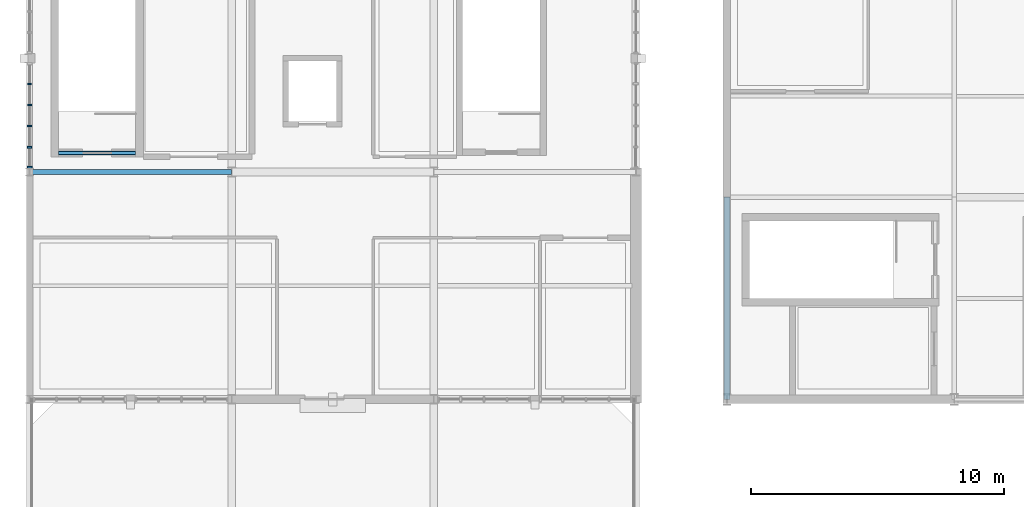
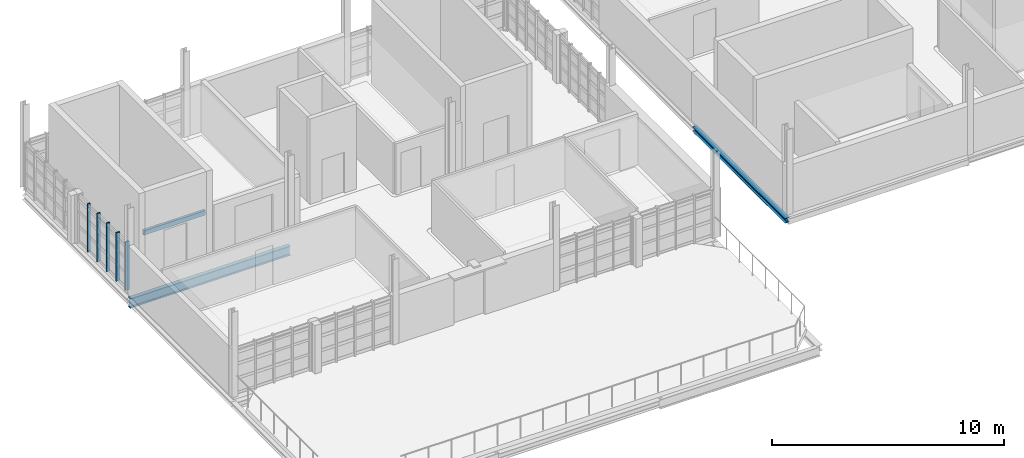
# One storey, part 7 of 44: 5 members, 3 beams, 1 element without a shape of its own.
"""IFC4 building model written with IfcOpenShell, lengths in metres."""

from ifc_helpers import new_model, si_unit, direction, frame, origin, origin_2d, place, context, subcontext, project, spatial, rectangle, hollow_rectangle, i_section, extrude, material, material_profile, profile_set, type_object, element, aggregate, save


model = new_model("IFC4")

# Units and contexts
model_context = context("Model", 3, precision=1e-05, world=origin(), true_north=direction((0.0, 1.0)))
body_context = subcontext(model_context, "Body", "Model", "MODEL_VIEW")
ifc_project = project(units=[si_unit("LENGTHUNIT", "METRE"), si_unit("AREAUNIT", "SQUARE_METRE"), si_unit("VOLUMEUNIT", "CUBIC_METRE"), si_unit("PLANEANGLEUNIT", "RADIAN"), si_unit("MASSUNIT", "GRAM", prefix="KILO")], contexts=[model_context])

# Site, building, storey
site_placement = place(None, origin())
site = spatial("IfcSite", under=ifc_project, at=site_placement, CompositionType="ELEMENT")
building_placement = place(site_placement, origin())
building = spatial("IfcBuilding", under=site, at=building_placement, Name="Serraforn Aerial Cableway Station", CompositionType="ELEMENT")
storey_placement = place(building_placement, frame((0.0, 0.0, 13.800048828125)))
storey = spatial("IfcBuildingStorey", under=building, at=storey_placement, Name="L03", CompositionType="ELEMENT", Elevation=13.800048828125)

# Beams
ifc_material_1 = material(Name="Steel S355JR", Category="steel")
ifc_material_profile_1 = material_profile(ifc_material_1, i_section(OverallWidth=0.239990234375, OverallDepth=0.239990234375, WebThickness=0.007568359375, FlangeThickness=0.011962890625, FilletRadius=0.02099609375, at=origin_2d()), Name="HEA 240")
ifc_profile_set_1 = profile_set([ifc_material_profile_1], Name="Steel S355JR")
beam_type_1 = type_object("IfcBeamType", Name="BM-ST-HEA240", PredefinedType="BEAM", material=ifc_profile_set_1)
beam_1_placement = place(storey_placement, frame((27.60009765625, 18.0, -0.43994140625), z_axis=(0.0, 1.0, 0.0), x_axis=(-1.0, 0.0, 0.0)))
element("IfcBeam", 1, at=beam_1_placement, inside=storey, type_object=beam_type_1, Name="Grid Girder Y CV L03 X1-1", PredefinedType="BEAM", context=body_context, shape_type="SweptSolid", body=[
    extrude(i_section(OverallWidth=0.239990234375, OverallDepth=0.239990234375, WebThickness=0.007568359375, FlangeThickness=0.011962890625, FilletRadius=0.02099609375, at=origin_2d()), origin(), (0.0, 0.0, 1.0), 8.0),
])
ifc_material_profile_2 = material_profile(ifc_material_1, i_section(OverallWidth=0.199951171875, OverallDepth=0.5, WebThickness=0.01025390625, FlangeThickness=0.01611328125, FilletRadius=0.02099609375, at=origin_2d()), Name="IPE 500")
ifc_profile_set_2 = profile_set([ifc_material_profile_2], Name="Steel S355JR")
beam_type_2 = type_object("IfcBeamType", Name="BM-ST-IPE500", PredefinedType="USERDEFINED", material=ifc_profile_set_2)
beam_2_placement = place(storey_placement, frame((0.0, 27.0, -0.570068359375), z_axis=(1.0, 0.0, 0.0), x_axis=(0.0, 1.0, 0.0)))
element("IfcBeam", 2, at=beam_2_placement, inside=storey, type_object=beam_type_2, Name="Grid Girder X W L03 Y4-1", ObjectType="GIRDER", PredefinedType="USERDEFINED", context=body_context, shape_type="SweptSolid", body=[
    extrude(i_section(OverallWidth=0.199951171875, OverallDepth=0.5, WebThickness=0.01025390625, FlangeThickness=0.01611328125, FilletRadius=0.02099609375, at=origin_2d()), origin(), (0.0, 0.0, 1.0), 8.0),
])
ifc_material_2 = material(Name="Steel S355J2", Category="steel")
ifc_material_profile_3 = material_profile(ifc_material_2, hollow_rectangle(XDim=0.14990234375, YDim=0.25, WallThickness=0.010009765625, InnerFilletRadius=0.010009765625, OuterFilletRadius=0.02001953125, at=origin_2d()), Name="RHS 250x150x10.0")
ifc_profile_set_3 = profile_set([ifc_material_profile_3], Name="Steel S355J2")
beam_type_3 = type_object("IfcBeamType", Name="BM-ST-RHS250", PredefinedType="LINTEL", material=ifc_profile_set_3)
beam_3_placement = place(storey_placement, frame((4.199951171875, 27.75, 2.27490234375), z_axis=(-1.0, 0.0, 0.0), x_axis=(0.0, -1.0, 0.0)))
element("IfcBeam", 3, at=beam_3_placement, inside=storey, type_object=beam_type_3, Name="Stair Core Door Lintel D-S04", PredefinedType="LINTEL", context=body_context, shape_type="SweptSolid", body=[
    extrude(hollow_rectangle(XDim=0.14990234375, YDim=0.25, WallThickness=0.010009765625, InnerFilletRadius=0.010009765625, OuterFilletRadius=0.02001953125, at=origin_2d()), origin(), (0.0, 0.0, 1.0), 3.06005859375),
])

# Curtain wall, members
ifc_material_3 = material(Name="Anodised bronze unitised curtain wall")
curtain_wall_type = type_object("IfcCurtainWallType", Name="CW-SYS-16", PredefinedType="USERDEFINED", material=ifc_material_3)
curtain_wall_placement = place(storey_placement, origin())
curtain_wall = element("IfcCurtainWall", 4, at=curtain_wall_placement, inside=storey, type_object=curtain_wall_type, Name="Unitised Curtain Wall CW-W-L03-W2B", ObjectType="UNITISED CURTAIN WALL", PredefinedType="USERDEFINED")
ifc_material_4 = material(Name="Anodised bronze extruded aluminium", Category="aluminium")
ifc_material_profile_4 = material_profile(ifc_material_4, rectangle(XDim=0.054931640625, YDim=0.139892578125, at=origin_2d()), Name="CW MULLION 55x140")
ifc_profile_set_4 = profile_set([ifc_material_profile_4], Name="Anodised bronze extruded aluminium")
member_type_1 = type_object("IfcMemberType", Name="CW-MUL-1", PredefinedType="MULLION", material=ifc_profile_set_4)
member_1_placement = place(storey_placement, frame((0.0, 30.485595703125, 0.0), z_axis=(0.0, 0.0, 1.0), x_axis=(0.0, -1.0, 0.0)))
member_1 = element("IfcMember", 5, at=member_1_placement, type_object=member_type_1, Name="Curtain Wall Mullion CW-W-L03-W2B-M2", PredefinedType="MULLION", context=body_context, shape_type="SweptSolid", body=[
    extrude(rectangle(XDim=0.054931640625, YDim=0.139892578125, at=origin_2d()), origin(), (0.0, 0.0, 1.0), 2.550048828125),
])
ifc_material_profile_5 = material_profile(ifc_material_4, rectangle(XDim=0.06005859375, YDim=0.159912109375, at=origin_2d()), Name="CW MULLION 60x160")
ifc_profile_set_5 = profile_set([ifc_material_profile_5], Name="Anodised bronze extruded aluminium")
member_type_2 = type_object("IfcMemberType", Name="CW-MUL-2", PredefinedType="MULLION", material=ifc_profile_set_5)
member_2_placement = place(storey_placement, frame((0.0, 29.651123046875, 0.0), z_axis=(0.0, 0.0, 1.0), x_axis=(0.0, -1.0, 0.0)))
member_2 = element("IfcMember", 6, at=member_2_placement, type_object=member_type_2, Name="Curtain Wall Mullion CW-W-L03-W2B-M3", PredefinedType="MULLION", context=body_context, shape_type="SweptSolid", body=[
    extrude(rectangle(XDim=0.06005859375, YDim=0.159912109375, at=origin_2d()), origin(), (0.0, 0.0, 1.0), 2.550048828125),
])
ifc_material_profile_6 = material_profile(ifc_material_4, rectangle(XDim=0.06494140625, YDim=0.175048828125, at=origin_2d()), Name="CW MULLION 65x175")
ifc_profile_set_6 = profile_set([ifc_material_profile_6], Name="Anodised bronze extruded aluminium")
member_type_3 = type_object("IfcMemberType", Name="CW-MUL-3", PredefinedType="MULLION", material=ifc_profile_set_6)
member_3_placement = place(storey_placement, frame((0.0, 28.81689453125, 0.0), z_axis=(0.0, 0.0, 1.0), x_axis=(0.0, -1.0, 0.0)))
member_3 = element("IfcMember", 7, at=member_3_placement, type_object=member_type_3, Name="Curtain Wall Mullion CW-W-L03-W2B-M4", PredefinedType="MULLION", context=body_context, shape_type="SweptSolid", body=[
    extrude(rectangle(XDim=0.06494140625, YDim=0.175048828125, at=origin_2d()), origin(), (0.0, 0.0, 1.0), 2.550048828125),
])
ifc_material_profile_7 = material_profile(ifc_material_4, rectangle(XDim=0.070068359375, YDim=0.18994140625, at=origin_2d()), Name="CW MULLION 70x190")
ifc_profile_set_7 = profile_set([ifc_material_profile_7], Name="Anodised bronze extruded aluminium")
member_type_4 = type_object("IfcMemberType", Name="CW-MUL-4", PredefinedType="MULLION", material=ifc_profile_set_7)
member_4_placement = place(storey_placement, frame((0.0, 27.982421875, 0.0), z_axis=(0.0, 0.0, 1.0), x_axis=(0.0, -1.0, 0.0)))
member_4 = element("IfcMember", 8, at=member_4_placement, type_object=member_type_4, Name="Curtain Wall Mullion CW-W-L03-W2B-M5", PredefinedType="MULLION", context=body_context, shape_type="SweptSolid", body=[
    extrude(rectangle(XDim=0.070068359375, YDim=0.18994140625, at=origin_2d()), origin(), (0.0, 0.0, 1.0), 2.550048828125),
])
ifc_material_profile_8 = material_profile(ifc_material_4, rectangle(XDim=0.074951171875, YDim=0.199951171875, at=origin_2d()), Name="CW MULLION 75x200")
ifc_profile_set_8 = profile_set([ifc_material_profile_8], Name="Anodised bronze extruded aluminium")
member_type_5 = type_object("IfcMemberType", Name="CW-MUL-5", PredefinedType="MULLION", material=ifc_profile_set_8)
member_5_placement = place(storey_placement, frame((0.0, 27.185546875, 0.0), z_axis=(0.0, 0.0, 1.0), x_axis=(0.0, -1.0, 0.0)))
member_5 = element("IfcMember", 9, at=member_5_placement, type_object=member_type_5, Name="Curtain Wall Mullion CW-W-L03-W2B-M6", PredefinedType="MULLION", context=body_context, shape_type="SweptSolid", body=[
    extrude(rectangle(XDim=0.074951171875, YDim=0.199951171875, at=origin_2d()), origin(), (0.0, 0.0, 1.0), 2.550048828125),
])
aggregate(curtain_wall, [member_1, member_2, member_3, member_4, member_5])

save(model, "model.ifc")
